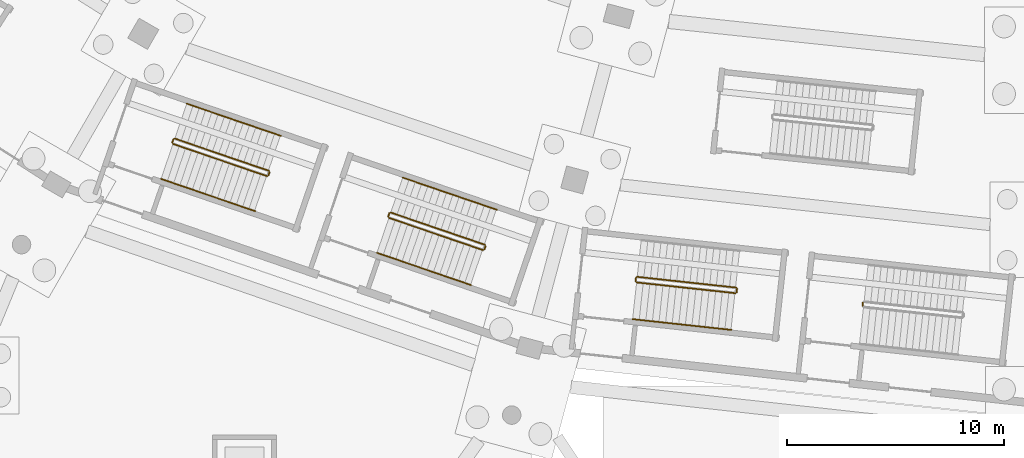
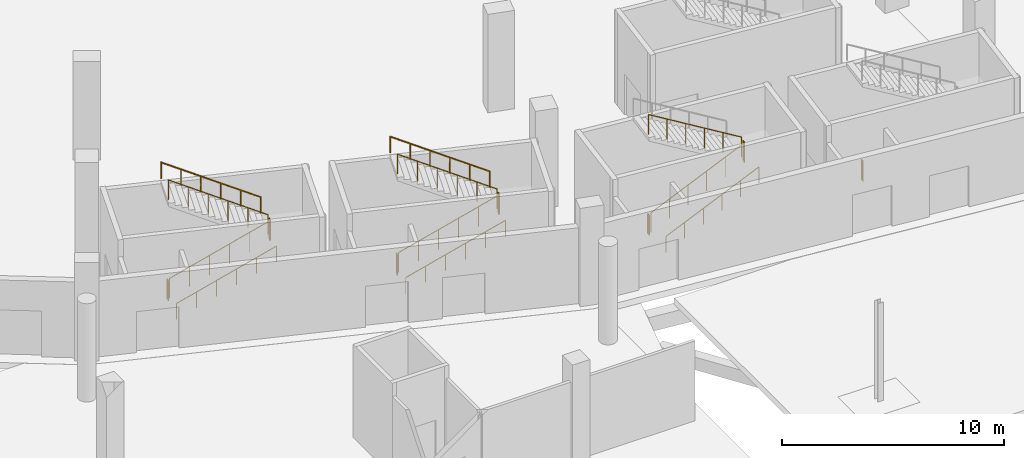
# One storey, part 61 of 103: 18 railings.
"""IFC4 building model written with IfcOpenShell, lengths in metres."""

from ifc_helpers import new_model, si_unit, direction, frame, origin, origin_2d, place, context, subcontext, project, spatial, circle, extrude, material, type_object, element, save


model = new_model("IFC4")

# Units and contexts
model_context = context("Model", 3, precision=1e-05, world=origin(), true_north=direction((0.0, 1.0)))
body_context = subcontext(model_context, "Body", "Model", "MODEL_VIEW")
ifc_project = project(units=[si_unit("LENGTHUNIT", "METRE"), si_unit("AREAUNIT", "SQUARE_METRE"), si_unit("VOLUMEUNIT", "CUBIC_METRE"), si_unit("PLANEANGLEUNIT", "RADIAN"), si_unit("MASSUNIT", "GRAM", prefix="KILO")], contexts=[model_context])

# Site, building, storey
site_placement = place(None, origin())
site = spatial("IfcSite", under=ifc_project, at=site_placement, CompositionType="ELEMENT")
building_placement = place(site_placement, origin())
building = spatial("IfcBuilding", under=site, at=building_placement, Name="Zevraka Park Crest Stadium", CompositionType="ELEMENT")
storey_placement = place(building_placement, origin())
storey = spatial("IfcBuildingStorey", under=building, at=storey_placement, Name="L00", CompositionType="ELEMENT", Elevation=0.0)

# Railings
ifc_material_1 = material(Name="Powder-coated tubular steel stairwell guard", Category="steel")
railing_type_1 = type_object("IfcRailingType", Name="GR03", PredefinedType="GUARDRAIL", material=ifc_material_1)
railing_1_placement = place(storey_placement, frame((72.218017578125, 28.649658203125, 0.168701171875)))
element("IfcRailing", 1, at=railing_1_placement, inside=storey, type_object=railing_type_1, Name="L00 ST17 stair guard 1", PredefinedType="GUARDRAIL", context=body_context, shape_type="SweptSolid", body=[
    extrude(circle(Radius=0.02392578125, at=origin_2d()), frame((0.0, 0.0, 1.076171875), z_axis=(0.827816573081, -0.283471962049, 0.484110904716), x_axis=(0.323965495677, 0.946068896863, 0.0)), (0.0, 0.0, 1.0), 5.228759765625),
    extrude(circle(Radius=0.02099609375, at=origin_2d()), origin(), (0.0, 0.0, 1.0), 1.052001953125),
    extrude(circle(Radius=0.02099609375, at=origin_2d()), frame((0.86572265625, -0.29638671875, 0.50634765625)), (0.0, 0.0, 1.0), 1.052001953125),
    extrude(circle(Radius=0.02099609375, at=origin_2d()), frame((1.7314453125, -0.5927734375, 1.012451171875)), (0.0, 0.0, 1.0), 1.052001953125),
    extrude(circle(Radius=0.02099609375, at=origin_2d()), frame((2.596923828125, -0.889404296875, 1.518798828125)), (0.0, 0.0, 1.0), 1.052001953125),
    extrude(circle(Radius=0.02099609375, at=origin_2d()), frame((3.462646484375, -1.185791015625, 2.02490234375)), (0.0, 0.0, 1.0), 1.052001953125),
    extrude(circle(Radius=0.02099609375, at=origin_2d()), frame((4.328369140625, -1.482177734375, 2.53125)), (0.0, 0.0, 1.0), 1.052001953125),
])
railing_2_placement = place(storey_placement, frame((76.60986328125, 27.198486328125, 2.699951171875)))
element("IfcRailing", 2, at=railing_2_placement, inside=storey, type_object=railing_type_1, Name="L00 ST17 stair guard 2", PredefinedType="GUARDRAIL", context=body_context, shape_type="SweptSolid", body=[
    extrude(circle(Radius=0.02392578125, at=origin_2d()), frame((0.0, 0.0, 1.076171875), z_axis=(0.323077276119, 0.946372587122, 0.0), x_axis=(-0.946372587122, 0.323077276119, 0.0)), (0.0, 0.0, 1.0), 0.16015625),
    extrude(circle(Radius=0.02099609375, at=origin_2d()), origin(), (0.0, 0.0, 1.0), 1.052001953125),
    extrude(circle(Radius=0.02099609375, at=origin_2d()), frame((0.0517578125, 0.151611328125, 0.0)), (0.0, 0.0, 1.0), 1.052001953125),
])
railing_3_placement = place(storey_placement, frame((76.630615234375, 27.41357421875, 2.86865234375)))
element("IfcRailing", 3, at=railing_3_placement, inside=storey, type_object=railing_type_1, Name="L00 ST17 stair guard 3", PredefinedType="GUARDRAIL", context=body_context, shape_type="SweptSolid", body=[
    extrude(circle(Radius=0.02392578125, at=origin_2d()), frame((0.0, 0.0, 1.076171875), z_axis=(-0.827816573081, 0.283471962049, 0.484110904716), x_axis=(-0.323965495677, -0.946068896863, 0.0)), (0.0, 0.0, 1.0), 5.228759765625),
    extrude(circle(Radius=0.02099609375, at=origin_2d()), origin(), (0.0, 0.0, 1.0), 1.052001953125),
    extrude(circle(Radius=0.02099609375, at=origin_2d()), frame((-0.86572265625, 0.29638671875, 0.50634765625)), (0.0, 0.0, 1.0), 1.052001953125),
    extrude(circle(Radius=0.02099609375, at=origin_2d()), frame((-1.7314453125, 0.5927734375, 1.012451171875)), (0.0, 0.0, 1.0), 1.052001953125),
    extrude(circle(Radius=0.02099609375, at=origin_2d()), frame((-2.596923828125, 0.889404296875, 1.518798828125)), (0.0, 0.0, 1.0), 1.052001953125),
    extrude(circle(Radius=0.02099609375, at=origin_2d()), frame((-3.462646484375, 1.185791015625, 2.02490234375)), (0.0, 0.0, 1.0), 1.052001953125),
    extrude(circle(Radius=0.02099609375, at=origin_2d()), frame((-4.328369140625, 1.482177734375, 2.53125)), (0.0, 0.0, 1.0), 1.052001953125),
])
railing_4_placement = place(storey_placement, frame((72.18701171875, 28.713134765625, 0.0)))
element("IfcRailing", 4, at=railing_4_placement, inside=storey, type_object=railing_type_1, Name="L00 ST17 stair guard 4", PredefinedType="GUARDRAIL", context=body_context, shape_type="SweptSolid", body=[
    extrude(circle(Radius=0.02392578125, at=origin_2d()), frame((0.0, 0.0, 1.076171875), z_axis=(0.32354385955, 0.946213174156, 0.0), x_axis=(-0.946213174156, 0.32354385955, 0.0)), (0.0, 0.0, 1.0), 0.159912109375),
    extrude(circle(Radius=0.02099609375, at=origin_2d()), origin(), (0.0, 0.0, 1.0), 1.052001953125),
    extrude(circle(Radius=0.02099609375, at=origin_2d()), frame((0.0517578125, 0.1513671875, 0.0)), (0.0, 0.0, 1.0), 1.052001953125),
])
railing_5_placement = place(storey_placement, frame((93.546630859375, 22.278076171875, 0.168701171875)))
element("IfcRailing", 5, at=railing_5_placement, inside=storey, type_object=railing_type_1, Name="L00 ST18 stair guard 1", PredefinedType="GUARDRAIL", context=body_context, shape_type="SweptSolid", body=[
    extrude(circle(Radius=0.02392578125, at=origin_2d()), frame((0.0, 0.0, 1.076171875), z_axis=(0.869864850097, -0.094648990882, 0.48412468548), x_axis=(0.108170396169, 0.994132368145, 0.0)), (0.0, 0.0, 1.0), 5.228515625),
    extrude(circle(Radius=0.02099609375, at=origin_2d()), origin(), (0.0, 0.0, 1.0), 1.052001953125),
    extrude(circle(Radius=0.02099609375, at=origin_2d()), frame((0.90966796875, -0.098876953125, 0.50634765625)), (0.0, 0.0, 1.0), 1.052001953125),
    extrude(circle(Radius=0.02099609375, at=origin_2d()), frame((1.8193359375, -0.197998046875, 1.012451171875)), (0.0, 0.0, 1.0), 1.052001953125),
    extrude(circle(Radius=0.02099609375, at=origin_2d()), frame((2.728759765625, -0.296875, 1.518798828125)), (0.0, 0.0, 1.0), 1.052001953125),
    extrude(circle(Radius=0.02099609375, at=origin_2d()), frame((3.638427734375, -0.39599609375, 2.02490234375)), (0.0, 0.0, 1.0), 1.052001953125),
    extrude(circle(Radius=0.02099609375, at=origin_2d()), frame((4.548095703125, -0.494873046875, 2.53125)), (0.0, 0.0, 1.0), 1.052001953125),
])
railing_6_placement = place(storey_placement, frame((98.14990234375, 21.827392578125, 2.699951171875)))
element("IfcRailing", 6, at=railing_6_placement, inside=storey, type_object=railing_type_1, Name="L00 ST18 stair guard 2", PredefinedType="GUARDRAIL", context=body_context, shape_type="SweptSolid", body=[
    extrude(circle(Radius=0.02392578125, at=origin_2d()), frame((0.0, 0.0, 1.076171875), z_axis=(0.108255734054, 0.994123078921, 0.0), x_axis=(-0.994123078921, 0.108255734054, 0.0)), (0.0, 0.0, 1.0), 0.16015625),
    extrude(circle(Radius=0.02099609375, at=origin_2d()), origin(), (0.0, 0.0, 1.0), 1.052001953125),
    extrude(circle(Radius=0.02099609375, at=origin_2d()), frame((0.017333984375, 0.1591796875, 0.0)), (0.0, 0.0, 1.0), 1.052001953125),
])
railing_7_placement = place(storey_placement, frame((98.123046875, 22.04150390625, 2.86865234375)))
element("IfcRailing", 7, at=railing_7_placement, inside=storey, type_object=railing_type_1, Name="L00 ST18 stair guard 3", PredefinedType="GUARDRAIL", context=body_context, shape_type="SweptSolid", body=[
    extrude(circle(Radius=0.02392578125, at=origin_2d()), frame((0.0, 0.0, 1.076171875), z_axis=(-0.869861004761, 0.094695266394, 0.484122545352), x_axis=(-0.108223136073, -0.994126628161, 0.0)), (0.0, 0.0, 1.0), 5.228515625),
    extrude(circle(Radius=0.02099609375, at=origin_2d()), origin(), (0.0, 0.0, 1.0), 1.052001953125),
    extrude(circle(Radius=0.02099609375, at=origin_2d()), frame((-0.90966796875, 0.09912109375, 0.50634765625)), (0.0, 0.0, 1.0), 1.052001953125),
    extrude(circle(Radius=0.02099609375, at=origin_2d()), frame((-1.8193359375, 0.197998046875, 1.012451171875)), (0.0, 0.0, 1.0), 1.052001953125),
    extrude(circle(Radius=0.02099609375, at=origin_2d()), frame((-2.728759765625, 0.297119140625, 1.518798828125)), (0.0, 0.0, 1.0), 1.052001953125),
    extrude(circle(Radius=0.02099609375, at=origin_2d()), frame((-3.638427734375, 0.39599609375, 2.02490234375)), (0.0, 0.0, 1.0), 1.052001953125),
    extrude(circle(Radius=0.02099609375, at=origin_2d()), frame((-4.548095703125, 0.4951171875, 2.53125)), (0.0, 0.0, 1.0), 1.052001953125),
])
railing_8_placement = place(storey_placement, frame((93.50244140625, 22.333251953125, 0.0)))
element("IfcRailing", 8, at=railing_8_placement, inside=storey, type_object=railing_type_1, Name="L00 ST18 stair guard 4", PredefinedType="GUARDRAIL", context=body_context, shape_type="SweptSolid", body=[
    extrude(circle(Radius=0.02392578125, at=origin_2d()), frame((0.0, 0.0, 1.076171875), z_axis=(0.108255734054, 0.994123078921, 0.0), x_axis=(-0.994123078921, 0.108255734054, 0.0)), (0.0, 0.0, 1.0), 0.16015625),
    extrude(circle(Radius=0.02099609375, at=origin_2d()), origin(), (0.0, 0.0, 1.0), 1.052001953125),
    extrude(circle(Radius=0.02099609375, at=origin_2d()), frame((0.017333984375, 0.1591796875, 0.0)), (0.0, 0.0, 1.0), 1.052001953125),
])
railing_9_placement = place(storey_placement, frame((82.152099609375, 25.248779296875, 0.168701171875)))
element("IfcRailing", 9, at=railing_9_placement, inside=storey, type_object=railing_type_1, Name="L00 ST29 stair guard 1", PredefinedType="GUARDRAIL", context=body_context, shape_type="SweptSolid", body=[
    extrude(circle(Radius=0.02392578125, at=origin_2d()), frame((0.0, 0.0, 1.076171875), z_axis=(0.827816573081, -0.283471962049, 0.484110904716), x_axis=(0.323965495677, 0.946068896863, 0.0)), (0.0, 0.0, 1.0), 5.228759765625),
    extrude(circle(Radius=0.02099609375, at=origin_2d()), origin(), (0.0, 0.0, 1.0), 1.052001953125),
    extrude(circle(Radius=0.02099609375, at=origin_2d()), frame((0.86572265625, -0.29638671875, 0.50634765625)), (0.0, 0.0, 1.0), 1.052001953125),
    extrude(circle(Radius=0.02099609375, at=origin_2d()), frame((1.7314453125, -0.5927734375, 1.012451171875)), (0.0, 0.0, 1.0), 1.052001953125),
    extrude(circle(Radius=0.02099609375, at=origin_2d()), frame((2.596923828125, -0.889404296875, 1.518798828125)), (0.0, 0.0, 1.0), 1.052001953125),
    extrude(circle(Radius=0.02099609375, at=origin_2d()), frame((3.462646484375, -1.185791015625, 2.02490234375)), (0.0, 0.0, 1.0), 1.052001953125),
    extrude(circle(Radius=0.02099609375, at=origin_2d()), frame((4.328369140625, -1.482177734375, 2.53125)), (0.0, 0.0, 1.0), 1.052001953125),
])
railing_10_placement = place(storey_placement, frame((86.5439453125, 23.797607421875, 2.699951171875)))
element("IfcRailing", 10, at=railing_10_placement, inside=storey, type_object=railing_type_1, Name="L00 ST29 stair guard 2", PredefinedType="GUARDRAIL", context=body_context, shape_type="SweptSolid", body=[
    extrude(circle(Radius=0.02392578125, at=origin_2d()), frame((0.0, 0.0, 1.076171875), z_axis=(0.32354385955, 0.946213174156, 0.0), x_axis=(-0.946213174156, 0.32354385955, 0.0)), (0.0, 0.0, 1.0), 0.159912109375),
    extrude(circle(Radius=0.02099609375, at=origin_2d()), origin(), (0.0, 0.0, 1.0), 1.052001953125),
    extrude(circle(Radius=0.02099609375, at=origin_2d()), frame((0.0517578125, 0.1513671875, 0.0)), (0.0, 0.0, 1.0), 1.052001953125),
])
railing_11_placement = place(storey_placement, frame((86.564697265625, 24.012451171875, 2.86865234375)))
element("IfcRailing", 11, at=railing_11_placement, inside=storey, type_object=railing_type_1, Name="L00 ST29 stair guard 3", PredefinedType="GUARDRAIL", context=body_context, shape_type="SweptSolid", body=[
    extrude(circle(Radius=0.02392578125, at=origin_2d()), frame((0.0, 0.0, 1.076171875), z_axis=(-0.827816573081, 0.283471962049, 0.484110904716), x_axis=(-0.323965495677, -0.946068896863, 0.0)), (0.0, 0.0, 1.0), 5.228759765625),
    extrude(circle(Radius=0.02099609375, at=origin_2d()), origin(), (0.0, 0.0, 1.0), 1.052001953125),
    extrude(circle(Radius=0.02099609375, at=origin_2d()), frame((-0.86572265625, 0.29638671875, 0.50634765625)), (0.0, 0.0, 1.0), 1.052001953125),
    extrude(circle(Radius=0.02099609375, at=origin_2d()), frame((-1.7314453125, 0.5927734375, 1.012451171875)), (0.0, 0.0, 1.0), 1.052001953125),
    extrude(circle(Radius=0.02099609375, at=origin_2d()), frame((-2.596923828125, 0.889404296875, 1.518798828125)), (0.0, 0.0, 1.0), 1.052001953125),
    extrude(circle(Radius=0.02099609375, at=origin_2d()), frame((-3.462646484375, 1.185791015625, 2.02490234375)), (0.0, 0.0, 1.0), 1.052001953125),
    extrude(circle(Radius=0.02099609375, at=origin_2d()), frame((-4.328369140625, 1.482177734375, 2.53125)), (0.0, 0.0, 1.0), 1.052001953125),
])
railing_12_placement = place(storey_placement, frame((82.12109375, 25.312255859375, 0.0)))
element("IfcRailing", 12, at=railing_12_placement, inside=storey, type_object=railing_type_1, Name="L00 ST29 stair guard 4", PredefinedType="GUARDRAIL", context=body_context, shape_type="SweptSolid", body=[
    extrude(circle(Radius=0.02392578125, at=origin_2d()), frame((0.0, 0.0, 1.076171875), z_axis=(0.32354385955, 0.946213174156, 0.0), x_axis=(-0.946213174156, 0.32354385955, 0.0)), (0.0, 0.0, 1.0), 0.159912109375),
    extrude(circle(Radius=0.02099609375, at=origin_2d()), origin(), (0.0, 0.0, 1.0), 1.052001953125),
    extrude(circle(Radius=0.02099609375, at=origin_2d()), frame((0.0517578125, 0.1513671875, 0.0)), (0.0, 0.0, 1.0), 1.052001953125),
])
railing_13_placement = place(storey_placement, frame((103.9404296875, 21.197265625, 0.0)))
element("IfcRailing", 13, at=railing_13_placement, inside=storey, type_object=railing_type_1, Name="L00 ST30 stair guard 4", PredefinedType="GUARDRAIL", context=body_context, shape_type="SweptSolid", body=[
    extrude(circle(Radius=0.02392578125, at=origin_2d()), frame((0.0, 0.0, 1.076171875), z_axis=(0.108255734054, 0.994123078921, 0.0), x_axis=(-0.994123078921, 0.108255734054, 0.0)), (0.0, 0.0, 1.0), 0.16015625),
    extrude(circle(Radius=0.02099609375, at=origin_2d()), origin(), (0.0, 0.0, 1.0), 1.052001953125),
    extrude(circle(Radius=0.02099609375, at=origin_2d()), frame((0.017333984375, 0.1591796875, 0.0)), (0.0, 0.0, 1.0), 1.052001953125),
])
ifc_material_2 = material(Name="Brushed stainless steel continuous handrail", Category="steel")
railing_type_2 = type_object("IfcRailingType", Name="HR01", PredefinedType="HANDRAIL", material=ifc_material_2)
railing_14_placement = place(storey_placement, frame((71.66748046875, 27.041259765625, 0.168701171875)))
element("IfcRailing", 14, at=railing_14_placement, inside=storey, type_object=railing_type_2, Name="L00 ST17 stair handrail 1", PredefinedType="HANDRAIL", context=body_context, shape_type="SweptSolid", body=[
    extrude(circle(Radius=0.02392578125, at=origin_2d()), frame((0.0, 0.0, 0.8759765625), z_axis=(0.827801877085, -0.283482919437, 0.484129617645), x_axis=(0.323981851812, 0.946063295819, 0.0)), (0.0, 0.0, 1.0), 5.228515625),
    extrude(circle(Radius=0.02099609375, at=origin_2d()), origin(), (0.0, 0.0, 1.0), 0.851806640625),
    extrude(circle(Radius=0.02099609375, at=origin_2d()), frame((0.86572265625, -0.29638671875, 0.50634765625)), (0.0, 0.0, 1.0), 0.851806640625),
    extrude(circle(Radius=0.02099609375, at=origin_2d()), frame((1.731201171875, -0.5927734375, 1.012451171875)), (0.0, 0.0, 1.0), 0.851806640625),
    extrude(circle(Radius=0.02099609375, at=origin_2d()), frame((2.596923828125, -0.889404296875, 1.518798828125)), (0.0, 0.0, 1.0), 0.851806640625),
    extrude(circle(Radius=0.02099609375, at=origin_2d()), frame((3.46240234375, -1.185791015625, 2.02490234375)), (0.0, 0.0, 1.0), 0.851806640625),
    extrude(circle(Radius=0.02099609375, at=origin_2d()), frame((4.328125, -1.482177734375, 2.53125)), (0.0, 0.0, 1.0), 0.851806640625),
])
railing_15_placement = place(storey_placement, frame((77.181396484375, 29.021728515625, 2.86865234375)))
element("IfcRailing", 15, at=railing_15_placement, inside=storey, type_object=railing_type_2, Name="L00 ST17 stair handrail 2", PredefinedType="HANDRAIL", context=body_context, shape_type="SweptSolid", body=[
    extrude(circle(Radius=0.02392578125, at=origin_2d()), frame((0.0, 0.0, 0.8759765625), z_axis=(-0.827816573081, 0.283471962049, 0.484110904716), x_axis=(-0.323965495677, -0.946068896863, 0.0)), (0.0, 0.0, 1.0), 5.228759765625),
    extrude(circle(Radius=0.02099609375, at=origin_2d()), origin(), (0.0, 0.0, 1.0), 0.851806640625),
    extrude(circle(Radius=0.02099609375, at=origin_2d()), frame((-0.86572265625, 0.29638671875, 0.50634765625)), (0.0, 0.0, 1.0), 0.851806640625),
    extrude(circle(Radius=0.02099609375, at=origin_2d()), frame((-1.7314453125, 0.5927734375, 1.012451171875)), (0.0, 0.0, 1.0), 0.851806640625),
    extrude(circle(Radius=0.02099609375, at=origin_2d()), frame((-2.596923828125, 0.889404296875, 1.518798828125)), (0.0, 0.0, 1.0), 0.851806640625),
    extrude(circle(Radius=0.02099609375, at=origin_2d()), frame((-3.462646484375, 1.185791015625, 2.02490234375)), (0.0, 0.0, 1.0), 0.851806640625),
    extrude(circle(Radius=0.02099609375, at=origin_2d()), frame((-4.328369140625, 1.482177734375, 2.53125)), (0.0, 0.0, 1.0), 0.851806640625),
])
railing_16_placement = place(storey_placement, frame((93.36279296875, 20.588134765625, 0.168701171875)))
element("IfcRailing", 16, at=railing_16_placement, inside=storey, type_object=railing_type_2, Name="L00 ST18 stair handrail 1", PredefinedType="HANDRAIL", context=body_context, shape_type="SweptSolid", body=[
    extrude(circle(Radius=0.02392578125, at=origin_2d()), frame((0.0, 0.0, 0.8759765625), z_axis=(0.869861004761, -0.094695266394, 0.484122545352), x_axis=(0.108223136073, 0.994126628161, 0.0)), (0.0, 0.0, 1.0), 5.228515625),
    extrude(circle(Radius=0.02099609375, at=origin_2d()), origin(), (0.0, 0.0, 1.0), 0.851806640625),
    extrude(circle(Radius=0.02099609375, at=origin_2d()), frame((0.90966796875, -0.09912109375, 0.50634765625)), (0.0, 0.0, 1.0), 0.851806640625),
    extrude(circle(Radius=0.02099609375, at=origin_2d()), frame((1.8193359375, -0.197998046875, 1.012451171875)), (0.0, 0.0, 1.0), 0.851806640625),
    extrude(circle(Radius=0.02099609375, at=origin_2d()), frame((2.728759765625, -0.297119140625, 1.518798828125)), (0.0, 0.0, 1.0), 0.851806640625),
    extrude(circle(Radius=0.02099609375, at=origin_2d()), frame((3.638427734375, -0.39599609375, 2.02490234375)), (0.0, 0.0, 1.0), 0.851806640625),
    extrude(circle(Radius=0.02099609375, at=origin_2d()), frame((4.548095703125, -0.4951171875, 2.53125)), (0.0, 0.0, 1.0), 0.851806640625),
])
railing_17_placement = place(storey_placement, frame((81.601318359375, 23.640380859375, 0.168701171875)))
element("IfcRailing", 17, at=railing_17_placement, inside=storey, type_object=railing_type_2, Name="L00 ST29 stair handrail 1", PredefinedType="HANDRAIL", context=body_context, shape_type="SweptSolid", body=[
    extrude(circle(Radius=0.02392578125, at=origin_2d()), frame((0.0, 0.0, 0.8759765625), z_axis=(0.827816573081, -0.283471962049, 0.484110904716), x_axis=(0.323965495677, 0.946068896863, 0.0)), (0.0, 0.0, 1.0), 5.228759765625),
    extrude(circle(Radius=0.02099609375, at=origin_2d()), origin(), (0.0, 0.0, 1.0), 0.851806640625),
    extrude(circle(Radius=0.02099609375, at=origin_2d()), frame((0.86572265625, -0.29638671875, 0.50634765625)), (0.0, 0.0, 1.0), 0.851806640625),
    extrude(circle(Radius=0.02099609375, at=origin_2d()), frame((1.7314453125, -0.5927734375, 1.012451171875)), (0.0, 0.0, 1.0), 0.851806640625),
    extrude(circle(Radius=0.02099609375, at=origin_2d()), frame((2.596923828125, -0.889404296875, 1.518798828125)), (0.0, 0.0, 1.0), 0.851806640625),
    extrude(circle(Radius=0.02099609375, at=origin_2d()), frame((3.462646484375, -1.185791015625, 2.02490234375)), (0.0, 0.0, 1.0), 0.851806640625),
    extrude(circle(Radius=0.02099609375, at=origin_2d()), frame((4.328369140625, -1.482177734375, 2.53125)), (0.0, 0.0, 1.0), 0.851806640625),
])
railing_18_placement = place(storey_placement, frame((87.115478515625, 25.620849609375, 2.86865234375)))
element("IfcRailing", 18, at=railing_18_placement, inside=storey, type_object=railing_type_2, Name="L00 ST29 stair handrail 2", PredefinedType="HANDRAIL", context=body_context, shape_type="SweptSolid", body=[
    extrude(circle(Radius=0.02392578125, at=origin_2d()), frame((0.0, 0.0, 0.8759765625), z_axis=(-0.827816573081, 0.283471962049, 0.484110904716), x_axis=(-0.323965495677, -0.946068896863, 0.0)), (0.0, 0.0, 1.0), 5.228759765625),
    extrude(circle(Radius=0.02099609375, at=origin_2d()), origin(), (0.0, 0.0, 1.0), 0.851806640625),
    extrude(circle(Radius=0.02099609375, at=origin_2d()), frame((-0.86572265625, 0.29638671875, 0.50634765625)), (0.0, 0.0, 1.0), 0.851806640625),
    extrude(circle(Radius=0.02099609375, at=origin_2d()), frame((-1.7314453125, 0.5927734375, 1.012451171875)), (0.0, 0.0, 1.0), 0.851806640625),
    extrude(circle(Radius=0.02099609375, at=origin_2d()), frame((-2.596923828125, 0.889404296875, 1.518798828125)), (0.0, 0.0, 1.0), 0.851806640625),
    extrude(circle(Radius=0.02099609375, at=origin_2d()), frame((-3.462646484375, 1.185791015625, 2.02490234375)), (0.0, 0.0, 1.0), 0.851806640625),
    extrude(circle(Radius=0.02099609375, at=origin_2d()), frame((-4.328369140625, 1.482177734375, 2.53125)), (0.0, 0.0, 1.0), 0.851806640625),
])

save(model, "model.ifc")
